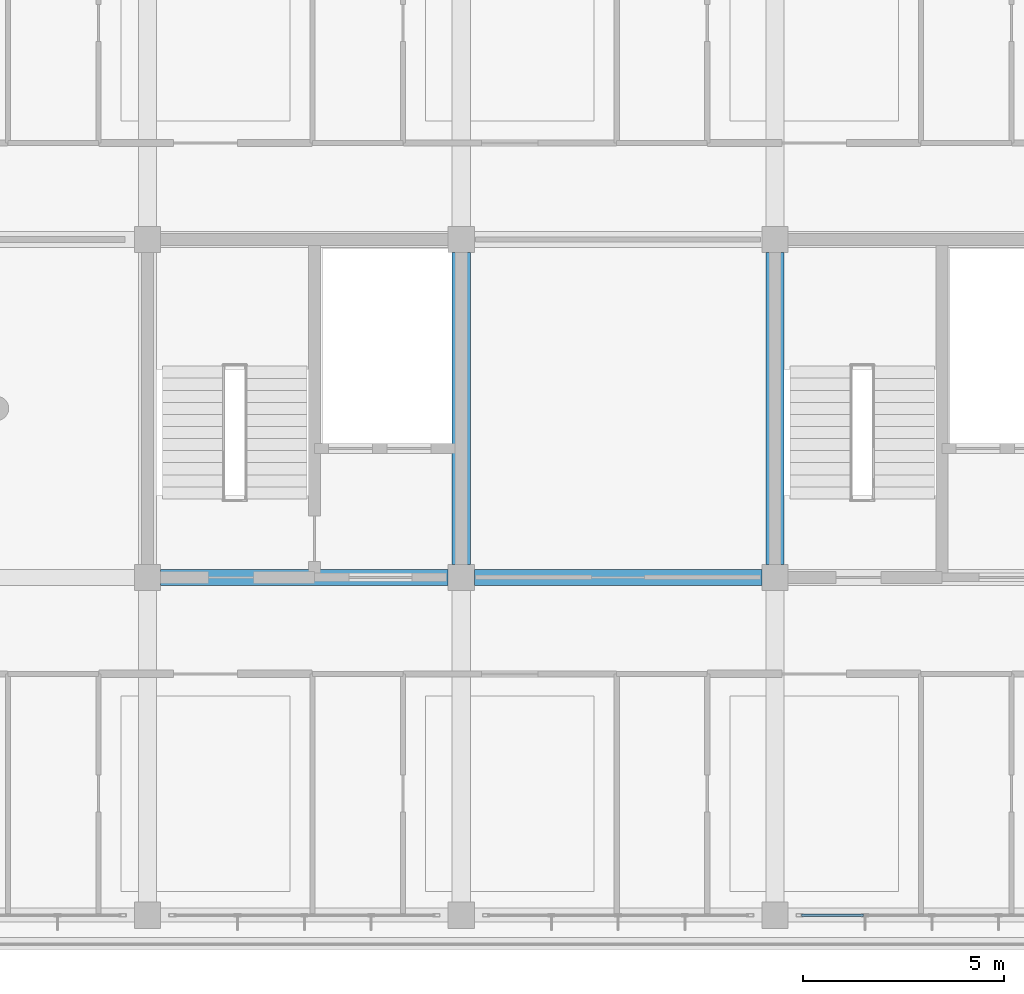
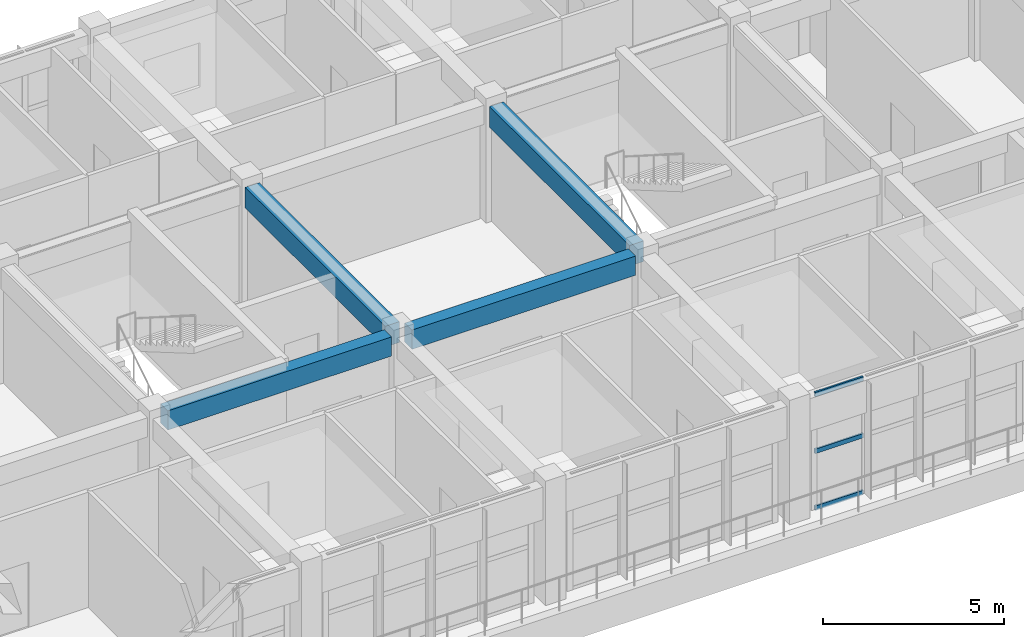
# One storey, part 14 of 63: 4 beams, 3 members, 1 element without a shape of its own.
"""IFC4 building model written with IfcOpenShell, lengths in metres."""

from ifc_helpers import new_model, si_unit, direction, frame, origin, origin_2d, place, context, subcontext, project, spatial, rectangle, hollow_rectangle, extrude, material, layer, layer_set, material_profile, profile_set, type_object, element, aggregate, save


model = new_model("IFC4")

# Units and contexts
model_context = context("Model", 3, precision=1e-05, world=origin(), true_north=direction((0.0, 1.0)))
body_context = subcontext(model_context, "Body", "Model", "MODEL_VIEW")
ifc_project = project(units=[si_unit("LENGTHUNIT", "METRE"), si_unit("AREAUNIT", "SQUARE_METRE"), si_unit("VOLUMEUNIT", "CUBIC_METRE"), si_unit("PLANEANGLEUNIT", "RADIAN"), si_unit("MASSUNIT", "GRAM", prefix="KILO")], contexts=[model_context])

# Site, building, storey
site_placement = place(None, origin())
site = spatial("IfcSite", under=ifc_project, at=site_placement, CompositionType="ELEMENT")
building_placement = place(site_placement, origin())
building = spatial("IfcBuilding", under=site, at=building_placement, Name="Zizhar Promenade General Hospital", CompositionType="ELEMENT")
storey_placement = place(building_placement, frame((0.0, 0.0, 18.0)))
storey = spatial("IfcBuildingStorey", under=building, at=storey_placement, Name="L04", CompositionType="ELEMENT", Elevation=18.0)

# Beams
ifc_material_1 = material(Name="Concrete C35/45", Category="concrete")
ifc_material_profile_1 = material_profile(ifc_material_1, rectangle(XDim=0.39990234375, YDim=0.64990234375, at=origin_2d()))
ifc_profile_set_1 = profile_set([ifc_material_profile_1], Name="Concrete C35/45")
beam_type_1 = type_object("IfcBeamType", Name="BM-RC-400x650", PredefinedType="BEAM", material=ifc_profile_set_1)
for number, where, z_axis, x_axis, name in (
    (1, (47.125, 8.39990234375, 3.5849609375), (1.0, 0.0, 0.0), (0.0, 1.0, 0.0), "Grid Beam X L04 (6-1)"),
    (2, (54.925048828125, 8.39990234375, 3.5849609375), (1.0, 0.0, 0.0), (0.0, 1.0, 0.0), "Grid Beam X L04 (7-1)"),
):
    element("IfcBeam", number, at=place(storey_placement, frame(where, z_axis=z_axis, x_axis=x_axis)), inside=storey, type_object=beam_type_1, Name=name, PredefinedType="BEAM", context=body_context, shape_type="SweptSolid", body=[
        extrude(rectangle(XDim=0.39990234375, YDim=0.64990234375, at=origin_2d()), origin(), (0.0, 0.0, 1.0), 7.14990234375),
    ])
ifc_material_2 = material(Name="Concrete C35/45", Category="concrete")
ifc_material_profile_2 = material_profile(ifc_material_2, rectangle(XDim=0.449951171875, YDim=0.699951171875, at=origin_2d()))
ifc_profile_set_2 = profile_set([ifc_material_profile_2], Name="Concrete C35/45")
beam_type_2 = type_object("IfcBeamType", Name="BM-RC-450x700", PredefinedType="BEAM", material=ifc_profile_set_2)
for number, where, z_axis, x_axis, name in (
    (3, (54.60009765625, 8.72509765625, 3.56005859375), (0.0, 1.0, 0.0), (-1.0, 0.0, 0.0), "Grid Beam Y L04 (7-1)"),
    (4, (62.39990234375, 8.72509765625, 3.56005859375), (0.0, 1.0, 0.0), (-1.0, 0.0, 0.0), "Grid Beam Y L04 (8-1)"),
):
    element("IfcBeam", number, at=place(storey_placement, frame(where, z_axis=z_axis, x_axis=x_axis)), inside=storey, type_object=beam_type_2, Name=name, PredefinedType="BEAM", context=body_context, shape_type="SweptSolid", body=[
        extrude(rectangle(XDim=0.449951171875, YDim=0.699951171875, at=origin_2d()), origin(), (0.0, 0.0, 1.0), 7.75),
    ])

# Curtain wall, members
ifc_material_3 = material(Name="Anodised aluminium 6063-T6 and low-E glass", Category="aluminium")
ifc_layer = layer(ifc_material_3, 0.159912109375)
ifc_layer_set = layer_set([ifc_layer], Name="Anodised aluminium 6063-T6 and low-E glass")
curtain_wall_type = type_object("IfcCurtainWallType", Name="CW-WARD-RIB", PredefinedType="NOTDEFINED", material=ifc_layer_set)
curtain_wall_placement = place(storey_placement, origin())
curtain_wall = element("IfcCurtainWall", 5, at=curtain_wall_placement, inside=storey, type_object=curtain_wall_type, Name="Ward Ribbon Curtain Wall L04-17-6", PredefinedType="NOTDEFINED")
ifc_material_4 = material(Name="Anodised aluminium 6063-T6", Category="aluminium")
ifc_material_profile_3 = material_profile(ifc_material_4, hollow_rectangle(XDim=0.06005859375, YDim=0.14990234375, WallThickness=0.00390625, at=origin_2d()))
ifc_profile_set_3 = profile_set([ifc_material_profile_3], Name="Anodised aluminium 6063-T6")
member_type = type_object("IfcMemberType", Name="CWT-ALU-150x60", PredefinedType="USERDEFINED", material=ifc_profile_set_3)
member_1_placement = place(storey_placement, frame((64.60009765625, 0.0, 0.030029296875), z_axis=(-1.0, 0.0, 0.0), x_axis=(0.0, -1.0, 0.0)))
member_1 = element("IfcMember", 6, at=member_1_placement, type_object=member_type, Name="CW-13 transom 4.1", ObjectType="TRANSOM", PredefinedType="USERDEFINED", context=body_context, shape_type="SweptSolid", body=[
    extrude(hollow_rectangle(XDim=0.06005859375, YDim=0.14990234375, WallThickness=0.00390625, at=origin_2d()), origin(), (0.0, 0.0, 1.0), 1.5400390625),
])
member_2_placement = place(storey_placement, frame((64.60009765625, 0.0, 1.949951171875), z_axis=(-1.0, 0.0, 0.0), x_axis=(0.0, -1.0, 0.0)))
member_2 = element("IfcMember", 7, at=member_2_placement, type_object=member_type, Name="CW-13 transom 4.2", ObjectType="TRANSOM", PredefinedType="USERDEFINED", context=body_context, shape_type="SweptSolid", body=[
    extrude(hollow_rectangle(XDim=0.06005859375, YDim=0.14990234375, WallThickness=0.00390625, at=origin_2d()), origin(), (0.0, 0.0, 1.0), 1.5400390625),
])
member_3_placement = place(storey_placement, frame((64.60009765625, 0.0, 3.8701171875), z_axis=(-1.0, 0.0, 0.0), x_axis=(0.0, -1.0, 0.0)))
member_3 = element("IfcMember", 8, at=member_3_placement, type_object=member_type, Name="CW-13 transom 4.3", ObjectType="TRANSOM", PredefinedType="USERDEFINED", context=body_context, shape_type="SweptSolid", body=[
    extrude(hollow_rectangle(XDim=0.06005859375, YDim=0.14990234375, WallThickness=0.00390625, at=origin_2d()), origin(), (0.0, 0.0, 1.0), 1.5400390625),
])
aggregate(curtain_wall, [member_1, member_2, member_3])

save(model, "model.ifc")
